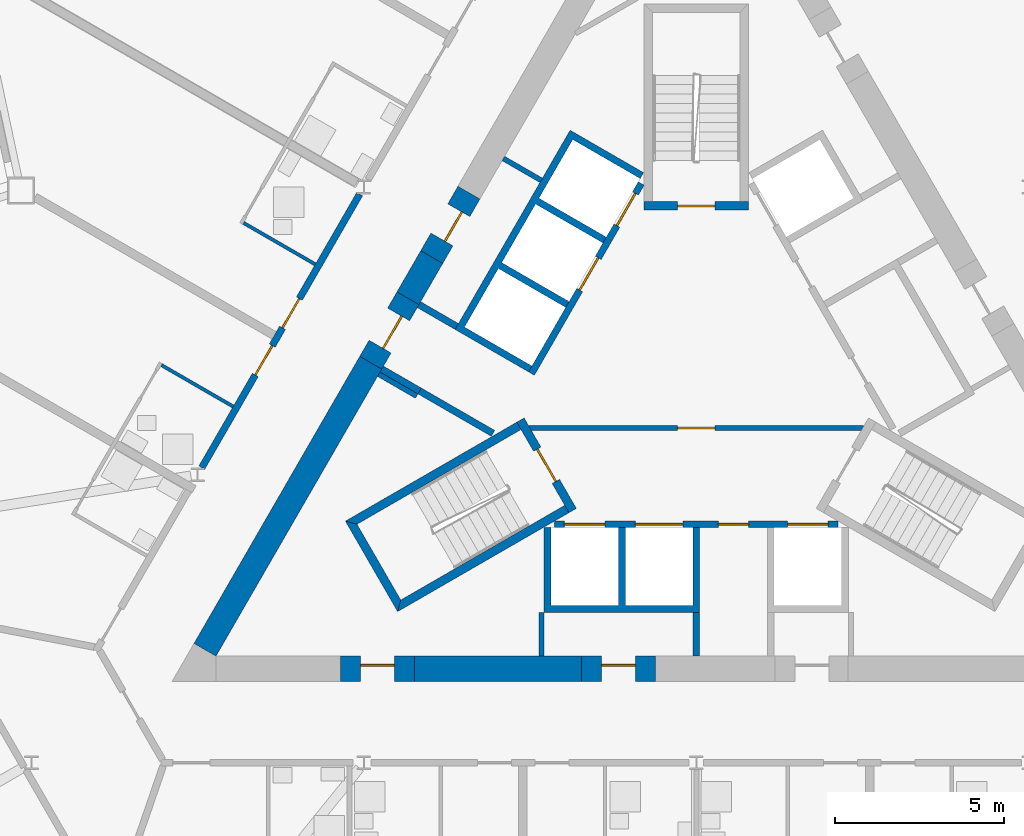
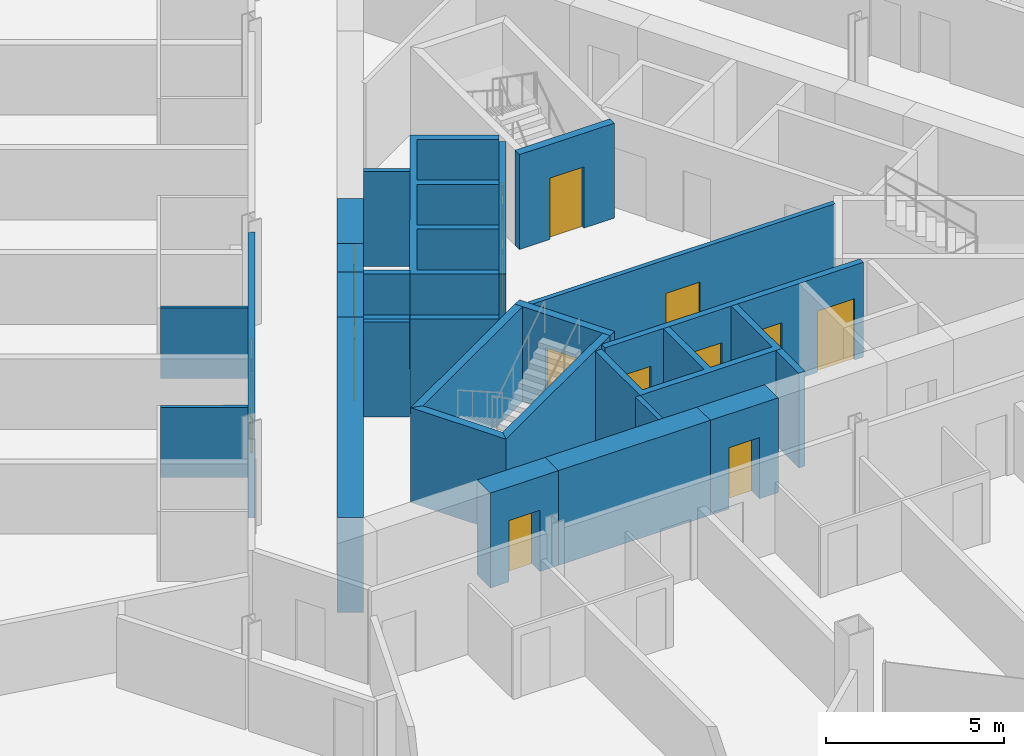
# One storey, part 11 of 23: 27 walls, 15 doors, 15 openings.
"""IFC4 building model written with IfcOpenShell, lengths in metres."""

from ifc_helpers import new_model, si_unit, direction, frame, frame_2d, origin, place, context, subcontext, project, spatial, polyline, rectangle, outline, extrude, material, layer, layer_set, type_object, element, fill, save


model = new_model("IFC4")

# Units and contexts
model_context = context("Model", 3, precision=1e-05, world=origin(), true_north=direction((0.0, 1.0)))
body_context = subcontext(model_context, "Body", "Model", "MODEL_VIEW")
ifc_project = project(units=[si_unit("LENGTHUNIT", "METRE"), si_unit("AREAUNIT", "SQUARE_METRE"), si_unit("VOLUMEUNIT", "CUBIC_METRE"), si_unit("PLANEANGLEUNIT", "RADIAN"), si_unit("MASSUNIT", "GRAM", prefix="KILO")], contexts=[model_context])

# Site, building, storey
site_placement = place(None, origin())
site = spatial("IfcSite", under=ifc_project, at=site_placement, CompositionType="ELEMENT")
building_placement = place(site_placement, origin())
building = spatial("IfcBuilding", under=site, at=building_placement, Name="Cormorant Prow Tower", CompositionType="ELEMENT")
storey_placement = place(building_placement, frame((0.0, 0.0, 180.0)))
storey = spatial("IfcBuildingStorey", under=building, at=storey_placement, Name="L38", CompositionType="ELEMENT", Elevation=180.0)

# Wall, opening, door
ifc_material_1 = material(Name="Gypsum board partition")
ifc_layer_1 = layer(ifc_material_1, 0.14990234375)
ifc_layer_set_1 = layer_set([ifc_layer_1], Name="Gypsum board partition")
wall_type_1 = type_object("IfcWallType", Name="Core partition 150", PredefinedType="PARTITIONING", material=ifc_layer_set_1)
wall_1_placement = place(storey_placement, frame((-4.941162109375, -1.449951171875, 0.0), z_axis=(0.0, 0.0, 1.0), x_axis=(1.0, 0.0, 0.0)))
wall_1 = element("IfcWall", 1, at=wall_1_placement, inside=storey, type_object=wall_type_1, Name="Firefighting lobby partition", PredefinedType="PARTITIONING", context=body_context, shape_type="SweptSolid", body=[
    extrude(rectangle(XDim=9.88232421875, YDim=0.14990234375, at=frame_2d((4.941162109375, 0.0))), origin(), (0.0, 0.0, 1.0), 3.25),
])
opening_1_placement = place(wall_1_placement, frame((4.39111328125, 0.0, 0.0)))
opening_1 = element("IfcOpeningElement", 2, at=opening_1_placement, cuts=wall_1, Name="Opening L38-C10", PredefinedType="OPENING", context=body_context, shape_type="SweptSolid", body=[
    extrude(rectangle(XDim=1.10009765625, YDim=2.10009765625, at=frame_2d((0.550048828125, 1.050048828125))), frame((0.0, 0.0849609375, 0.0), z_axis=(0.0, -1.0, 0.0), x_axis=(1.0, 0.0, 0.0)), (0.0, 0.0, 1.0), 0.169921875),
])
ifc_material_2 = material(Name="Painted steel", Category="steel")
door_type_1 = type_object("IfcDoorType", Name="Firefighting lobby door 1100x2100", OperationType="NOTDEFINED", PredefinedType="DOOR", material=ifc_material_2)
door_1_placement = place(opening_1_placement, origin())
door_1 = element("IfcDoor", 3, at=door_1_placement, inside=storey, type_object=door_type_1, Name="Firefighting lobby door", OperationType="SINGLE_SWING_RIGHT", OverallHeight=2.10009765625, OverallWidth=1.10009765625, PredefinedType="DOOR", context=body_context, shape_type="SweptSolid", body=[
    extrude(rectangle(XDim=1.10009765625, YDim=2.10009765625, at=frame_2d((0.550048828125, 1.050048828125))), frame((0.0, 0.02490234375, 0.0), z_axis=(0.0, -1.0, 0.0), x_axis=(1.0, 0.0, 0.0)), (0.0, 0.0, 1.0), 0.050048828125),
])
fill(opening_1, door_1)

# Walls
for number, where, z_axis, x_axis, name in (
    (4, (-4.574951171875, -6.906005859375, 0.0), (0.0, 0.0, 1.0), (0.0, -1.0, 0.0), "Service room partition"),
    (5, (-8.268310546875, -0.509033203125, 0.0), (0.0, 0.0, 1.0), (-0.866003189247, 0.500038474733, 0.0), "Service room partition"),
    (6, (-5.705322265625, 6.515869140625, 0.0), (0.0, 0.0, 1.0), (0.866003189247, -0.500038474733, 0.0), "Service room partition"),
):
    element("IfcWall", number, at=place(storey_placement, frame(where, z_axis=z_axis, x_axis=x_axis)), inside=storey, type_object=wall_type_1, Name=name, PredefinedType="PARTITIONING", context=body_context, shape_type="SweptSolid", body=[
        extrude(rectangle(XDim=1.29296875, YDim=0.14990234375, at=frame_2d((0.646484375, 0.0))), origin(), (0.0, 0.0, 1.0), 3.25),
    ])
ifc_material_3 = material(Name="Concrete 8000 psi", Category="concrete")
ifc_layer_2 = layer(ifc_material_3, 0.75)
ifc_layer_set_2 = layer_set([ifc_layer_2], Name="Concrete 8000 psi")
wall_type_2 = type_object("IfcWallType", Name="Core shear wall 750", PredefinedType="SHEAR", material=ifc_layer_set_2)
wall_2_placement = place(storey_placement, frame((-8.325439453125, -8.573974609375, 0.0), z_axis=(0.0, 0.0, 1.0), x_axis=(1.0, 0.0, 0.0)))
element("IfcWall", 7, at=wall_2_placement, inside=storey, type_object=wall_type_2, Name="Core wall", PredefinedType="SHEAR", context=body_context, shape_type="SweptSolid", body=[
    extrude(rectangle(XDim=4.925537109375, YDim=0.75, at=frame_2d((2.462890625, 0.0))), origin(), (0.0, 0.0, 1.0), 3.25),
])
wall_3_placement = place(storey_placement, frame((-9.625244140625, 0.4765625, 0.0), z_axis=(0.0, 0.0, 1.0), x_axis=(-0.499986234705, -0.866033351035, 0.0)))
element("IfcWall", 8, at=wall_3_placement, inside=storey, type_object=wall_type_2, Name="Core wall", PredefinedType="SHEAR", context=body_context, shape_type="SweptSolid", body=[
    extrude(rectangle(XDim=9.801025390625, YDim=0.75, at=frame_2d((4.900390625, 0.0))), origin(), (0.0, 0.0, 1.0), 3.25),
])
wall_4_placement = place(storey_placement, frame((-7.8212890625, 3.600830078125, 0.0), z_axis=(0.0, 0.0, 1.0), x_axis=(-0.49996263964, -0.866046972724, 0.0)))
element("IfcWall", 9, at=wall_4_placement, inside=storey, type_object=wall_type_2, Name="Core wall", PredefinedType="SHEAR", context=body_context, shape_type="SweptSolid", body=[
    extrude(rectangle(XDim=1.40771484375, YDim=0.75, at=frame_2d((0.703857421875, 0.0))), origin(), (0.0, 0.0, 1.0), 3.25),
])

# Wall, opening, door
wall_5_placement = place(storey_placement, frame((-3.39990234375, -8.573974609375, 0.0), z_axis=(0.0, 0.0, 1.0), x_axis=(1.0, 0.0, 0.0)))
wall_5 = element("IfcWall", 10, at=wall_5_placement, inside=storey, type_object=wall_type_2, Name="Core wall door panel", PredefinedType="SHEAR", context=body_context, shape_type="SweptSolid", body=[
    extrude(rectangle(XDim=2.199951171875, YDim=0.75, at=frame_2d((1.10009765625, 0.0))), origin(), (0.0, 0.0, 1.0), 3.25),
])
opening_2_placement = place(wall_5_placement, frame((0.60009765625, 0.0, 0.0)))
opening_2 = element("IfcOpeningElement", 11, at=opening_2_placement, cuts=wall_5, Name="Opening L38-C14", PredefinedType="OPENING", context=body_context, shape_type="SweptSolid", body=[
    extrude(rectangle(XDim=1.0, YDim=2.10009765625, at=frame_2d((0.5, 1.050048828125))), frame((0.0, 0.385009765625, 0.0), z_axis=(0.0, -1.0, 0.0), x_axis=(1.0, 0.0, 0.0)), (0.0, 0.0, 1.0), 0.77001953125),
])
ifc_material_4 = material(Name="Painted steel", Category="steel")
door_type_2 = type_object("IfcDoorType", Name="Service door 1000x2100", OperationType="NOTDEFINED", PredefinedType="DOOR", material=ifc_material_4)
door_2_placement = place(opening_2_placement, origin())
door_2 = element("IfcDoor", 12, at=door_2_placement, inside=storey, type_object=door_type_2, Name="Core door, Housekeeping store", OperationType="SINGLE_SWING_LEFT", OverallHeight=2.10009765625, OverallWidth=1.0, PredefinedType="DOOR", context=body_context, shape_type="SweptSolid", body=[
    extrude(rectangle(XDim=1.0, YDim=2.10009765625, at=frame_2d((0.5, 1.050048828125))), frame((0.0, 0.1298828125, 0.0), z_axis=(0.0, -1.0, 0.0), x_axis=(1.0, 0.0, 0.0)), (0.0, 0.0, 1.0), 0.050048828125),
])
fill(opening_2, door_2)

wall_6_placement = place(storey_placement, frame((-10.525390625, -8.573974609375, 0.0), z_axis=(0.0, 0.0, 1.0), x_axis=(1.0, 0.0, 0.0)))
wall_6 = element("IfcWall", 13, at=wall_6_placement, inside=storey, type_object=wall_type_2, Name="Core wall door panel", PredefinedType="SHEAR", context=body_context, shape_type="SweptSolid", body=[
    extrude(rectangle(XDim=2.199951171875, YDim=0.75, at=frame_2d((1.10009765625, 0.0))), origin(), (0.0, 0.0, 1.0), 3.25),
])
opening_3_placement = place(wall_6_placement, frame((0.60009765625, 0.0, 0.0)))
opening_3 = element("IfcOpeningElement", 14, at=opening_3_placement, cuts=wall_6, Name="Opening L38-C16", PredefinedType="OPENING", context=body_context, shape_type="SweptSolid", body=[
    extrude(rectangle(XDim=1.0, YDim=2.10009765625, at=frame_2d((0.5, 1.050048828125))), frame((0.0, 0.385009765625, 0.0), z_axis=(0.0, -1.0, 0.0), x_axis=(1.0, 0.0, 0.0)), (0.0, 0.0, 1.0), 0.77001953125),
])
door_3_placement = place(opening_3_placement, origin())
door_3 = element("IfcDoor", 15, at=door_3_placement, inside=storey, type_object=door_type_2, Name="Core door, Linen store", OperationType="SINGLE_SWING_LEFT", OverallHeight=2.10009765625, OverallWidth=1.0, PredefinedType="DOOR", context=body_context, shape_type="SweptSolid", body=[
    extrude(rectangle(XDim=1.0, YDim=2.10009765625, at=frame_2d((0.5, 1.050048828125))), frame((0.0, 0.1298828125, 0.0), z_axis=(0.0, -1.0, 0.0), x_axis=(1.0, 0.0, 0.0)), (0.0, 0.0, 1.0), 0.050048828125),
])
fill(opening_3, door_3)

wall_7_placement = place(storey_placement, frame((-6.721435546875, 5.506103515625, 0.0), z_axis=(0.0, 0.0, 1.0), x_axis=(-0.499946605688, -0.86605622881, 0.0)))
wall_7 = element("IfcWall", 16, at=wall_7_placement, inside=storey, type_object=wall_type_2, Name="Core wall door panel", PredefinedType="SHEAR", context=body_context, shape_type="SweptSolid", body=[
    extrude(rectangle(XDim=2.199951171875, YDim=0.75, at=frame_2d((1.10009765625, 0.0))), origin(), (0.0, 0.0, 1.0), 3.25),
])
opening_4_placement = place(wall_7_placement, frame((0.60009765625, 0.0, 0.0)))
opening_4 = element("IfcOpeningElement", 17, at=opening_4_placement, cuts=wall_7, Name="Opening L38-C19", PredefinedType="OPENING", context=body_context, shape_type="SweptSolid", body=[
    extrude(rectangle(XDim=1.0, YDim=2.10009765625, at=frame_2d((0.5, 1.050048828125))), frame((0.0, 0.385009765625, 0.0), z_axis=(0.0, -1.0, 0.0), x_axis=(1.0, 0.0, 0.0)), (0.0, 0.0, 1.0), 0.77001953125),
])
door_4_placement = place(opening_4_placement, origin())
door_4 = element("IfcDoor", 18, at=door_4_placement, inside=storey, type_object=door_type_2, Name="Core door, Electrical room", OperationType="SINGLE_SWING_RIGHT", OverallHeight=2.10009765625, OverallWidth=1.0, PredefinedType="DOOR", context=body_context, shape_type="SweptSolid", body=[
    extrude(rectangle(XDim=1.0, YDim=2.10009765625, at=frame_2d((0.5, 1.050048828125))), frame((0.0, 0.1298828125, 0.0), z_axis=(0.0, -1.0, 0.0), x_axis=(1.0, 0.0, 0.0)), (0.0, 0.0, 1.0), 0.050048828125),
])
fill(opening_4, door_4)

wall_8_placement = place(storey_placement, frame((-8.525146484375, 2.381591796875, 0.0), z_axis=(0.0, 0.0, 1.0), x_axis=(-0.500077893725, -0.86598042715, 0.0)))
wall_8 = element("IfcWall", 19, at=wall_8_placement, inside=storey, type_object=wall_type_2, Name="Core wall door panel", PredefinedType="SHEAR", context=body_context, shape_type="SweptSolid", body=[
    extrude(rectangle(XDim=2.199951171875, YDim=0.75, at=frame_2d((1.10009765625, 0.0))), origin(), (0.0, 0.0, 1.0), 3.25),
])
opening_5_placement = place(wall_8_placement, frame((0.550048828125, 0.0, 0.0)))
opening_5 = element("IfcOpeningElement", 20, at=opening_5_placement, cuts=wall_8, Name="Opening L38-C22", PredefinedType="OPENING", context=body_context, shape_type="SweptSolid", body=[
    extrude(rectangle(XDim=1.10009765625, YDim=2.10009765625, at=frame_2d((0.550048828125, 1.050048828125))), frame((0.0, 0.385009765625, 0.0), z_axis=(0.0, -1.0, 0.0), x_axis=(1.0, 0.0, 0.0)), (0.0, 0.0, 1.0), 0.77001953125),
])
ifc_material_5 = material(Name="Painted steel", Category="steel")
door_type_3 = type_object("IfcDoorType", Name="Core door 1100x2100", OperationType="NOTDEFINED", PredefinedType="DOOR", material=ifc_material_5)
door_5_placement = place(opening_5_placement, origin())
door_5 = element("IfcDoor", 21, at=door_5_placement, inside=storey, type_object=door_type_3, Name="Core door, lift lobby", OperationType="SINGLE_SWING_LEFT", OverallHeight=2.10009765625, OverallWidth=1.10009765625, PredefinedType="DOOR", context=body_context, shape_type="SweptSolid", body=[
    extrude(rectangle(XDim=1.10009765625, YDim=2.10009765625, at=frame_2d((0.550048828125, 1.050048828125))), frame((0.0, 0.1298828125, 0.0), z_axis=(0.0, -1.0, 0.0), x_axis=(1.0, 0.0, 0.0)), (0.0, 0.0, 1.0), 0.050048828125),
])
fill(opening_5, door_5)

# Wall, openings, doors
ifc_material_6 = material(Name="Gypsum board corridor wall")
ifc_layer_3 = layer(ifc_material_6, 0.199951171875)
ifc_layer_set_3 = layer_set([ifc_layer_3], Name="Gypsum board corridor wall")
wall_type_3 = type_object("IfcWallType", Name="Corridor wall 200", PredefinedType="PARTITIONING", material=ifc_layer_set_3)
wall_9_placement = place(storey_placement, frame((-14.619384765625, -2.62353515625, 0.0), z_axis=(0.0, 0.0, 1.0), x_axis=(0.50000393355, 0.866023132736, 0.0)))
wall_9 = element("IfcWall", 22, at=wall_9_placement, inside=storey, type_object=wall_type_3, Name="Corridor wall", PredefinedType="PARTITIONING", context=body_context, shape_type="SweptSolid", body=[
    extrude(rectangle(XDim=9.3349609375, YDim=0.199951171875, at=frame_2d((4.66748046875, 0.0))), origin(), (0.0, 0.0, 1.0), 3.25),
])
opening_6_placement = place(wall_9_placement, frame((4.770263671875, 0.0, 0.0)))
opening_6 = element("IfcOpeningElement", 23, at=opening_6_placement, cuts=wall_9, Name="Opening L38-F30", PredefinedType="OPENING", context=body_context, shape_type="SweptSolid", body=[
    extrude(rectangle(XDim=1.0, YDim=2.10009765625, at=frame_2d((0.5, 1.050048828125))), frame((0.0, 0.10986328125, 0.0), z_axis=(0.0, -1.0, 0.0), x_axis=(1.0, 0.0, 0.0)), (0.0, 0.0, 1.0), 0.219970703125),
])
opening_7_placement = place(wall_9_placement, frame((3.1630859375, 0.0, 0.0)))
opening_7 = element("IfcOpeningElement", 24, at=opening_7_placement, cuts=wall_9, Name="Opening L38-F32", PredefinedType="OPENING", context=body_context, shape_type="SweptSolid", body=[
    extrude(rectangle(XDim=1.0, YDim=2.10009765625, at=frame_2d((0.5, 1.050048828125))), frame((0.0, 0.10986328125, 0.0), z_axis=(0.0, -1.0, 0.0), x_axis=(1.0, 0.0, 0.0)), (0.0, 0.0, 1.0), 0.219970703125),
])
ifc_material_7 = material(Name="Timber door leaf", Category="wood")
door_type_4 = type_object("IfcDoorType", Name="Flat or room entrance door 1000x2100", OperationType="NOTDEFINED", PredefinedType="DOOR", material=ifc_material_7)
door_6_placement = place(opening_6_placement, origin())
door_6 = element("IfcDoor", 25, at=door_6_placement, inside=storey, type_object=door_type_4, Name="Guest room door", OperationType="SINGLE_SWING_LEFT", OverallHeight=2.10009765625, OverallWidth=1.0, PredefinedType="DOOR", context=body_context, shape_type="SweptSolid", body=[
    extrude(rectangle(XDim=1.0, YDim=2.10009765625, at=frame_2d((0.5, 1.050048828125))), frame((0.0, 0.02490234375, 0.0), z_axis=(0.0, -1.0, 0.0), x_axis=(1.0, 0.0, 0.0)), (0.0, 0.0, 1.0), 0.050048828125),
])
fill(opening_6, door_6)
door_7_placement = place(opening_7_placement, origin())
door_7 = element("IfcDoor", 26, at=door_7_placement, inside=storey, type_object=door_type_4, Name="Guest room door", OperationType="SINGLE_SWING_RIGHT", OverallHeight=2.10009765625, OverallWidth=1.0, PredefinedType="DOOR", context=body_context, shape_type="SweptSolid", body=[
    extrude(rectangle(XDim=1.0, YDim=2.10009765625, at=frame_2d((0.5, 1.050048828125))), frame((0.0, 0.02490234375, 0.0), z_axis=(0.0, -1.0, 0.0), x_axis=(1.0, 0.0, 0.0)), (0.0, 0.0, 1.0), 0.050048828125),
])
fill(opening_7, door_7)

# Walls
ifc_material_8 = material(Name="Gypsum board partition")
ifc_layer_4 = layer(ifc_material_8, 0.10009765625)
ifc_layer_set_4 = layer_set([ifc_layer_4], Name="Gypsum board partition")
wall_type_4 = type_object("IfcWallType", Name="Internal partition 100", PredefinedType="PARTITIONING", material=ifc_layer_set_4)
wall_10_placement = place(storey_placement, frame((-13.38671875, 4.611083984375, 0.0), z_axis=(0.0, 0.0, 1.0), x_axis=(0.866032905446, -0.499987006516, 0.0)))
element("IfcWall", 27, at=wall_10_placement, inside=storey, type_object=wall_type_4, Name="Internal partition", PredefinedType="PARTITIONING", context=body_context, shape_type="SweptSolid", body=[
    extrude(rectangle(XDim=2.44970703125, YDim=0.10009765625, at=frame_2d((1.224853515625, 0.0))), origin(), (0.0, 0.0, 1.0), 2.404296875),
])
wall_11_placement = place(storey_placement, frame((-15.81396484375, 0.4072265625, 0.0), z_axis=(0.0, 0.0, 1.0), x_axis=(0.866057815567, -0.499943856944, 0.0)))
element("IfcWall", 28, at=wall_11_placement, inside=storey, type_object=wall_type_4, Name="Internal partition", PredefinedType="PARTITIONING", context=body_context, shape_type="SweptSolid", body=[
    extrude(rectangle(XDim=2.449951171875, YDim=0.10009765625, at=frame_2d((1.22509765625, 0.0))), origin(), (0.0, 0.0, 1.0), 2.404296875),
])

# Wall, openings, doors
ifc_material_9 = material(Name="Concrete 5000 psi", Category="concrete")
ifc_layer_5 = layer(ifc_material_9, 0.199951171875)
ifc_layer_set_5 = layer_set([ifc_layer_5], Name="Concrete 5000 psi")
wall_type_5 = type_object("IfcWallType", Name="Lift lobby wall 200", PredefinedType="SOLIDWALL", material=ifc_layer_set_5)
wall_12_placement = place(storey_placement, frame((-4.1865234375, -4.300048828125, 0.0), z_axis=(0.0, 0.0, 1.0), x_axis=(1.0, 0.0, 0.0)))
wall_12 = element("IfcWall", 29, at=wall_12_placement, inside=storey, type_object=wall_type_5, Name="Lift lobby wall, S block", PredefinedType="SOLIDWALL", context=body_context, shape_type="SweptSolid", body=[
    extrude(rectangle(XDim=8.373046875, YDim=0.199951171875, at=frame_2d((4.1865234375, 0.0))), origin(), (0.0, 0.0, 1.0), 3.25),
])
opening_8_placement = place(wall_12_placement, frame((0.28662109375, 0.0, 0.0)))
opening_8 = element("IfcOpeningElement", 30, at=opening_8_placement, cuts=wall_12, Name="Opening L38-C01", PredefinedType="OPENING", context=body_context, shape_type="SweptSolid", body=[
    extrude(rectangle(XDim=1.199951171875, YDim=2.10009765625, at=frame_2d((0.60009765625, 1.050048828125))), frame((0.0, 0.10986328125, 0.0), z_axis=(0.0, -1.0, 0.0), x_axis=(1.0, 0.0, 0.0)), (0.0, 0.0, 1.0), 0.219970703125),
])
opening_9_placement = place(wall_12_placement, frame((2.38671875, 0.0, 0.0)))
opening_9 = element("IfcOpeningElement", 31, at=opening_9_placement, cuts=wall_12, Name="Opening L38-C02", PredefinedType="OPENING", context=body_context, shape_type="SweptSolid", body=[
    extrude(rectangle(XDim=1.39990234375, YDim=2.10009765625, at=frame_2d((0.699951171875, 1.050048828125))), frame((0.0, 0.10986328125, 0.0), z_axis=(0.0, -1.0, 0.0), x_axis=(1.0, 0.0, 0.0)), (0.0, 0.0, 1.0), 0.219970703125),
])
opening_10_placement = place(wall_12_placement, frame((4.836669921875, 0.0, 0.0)))
opening_10 = element("IfcOpeningElement", 32, at=opening_10_placement, cuts=wall_12, Name="Opening L38-C03", PredefinedType="OPENING", context=body_context, shape_type="SweptSolid", body=[
    extrude(rectangle(XDim=0.89990234375, YDim=2.10009765625, at=frame_2d((0.449951171875, 1.050048828125))), frame((0.0, 0.10986328125, 0.0), z_axis=(0.0, -1.0, 0.0), x_axis=(1.0, 0.0, 0.0)), (0.0, 0.0, 1.0), 0.219970703125),
])
opening_11_placement = place(wall_12_placement, frame((6.88671875, 0.0, 0.0)))
opening_11 = element("IfcOpeningElement", 33, at=opening_11_placement, cuts=wall_12, Name="Opening L38-C04", PredefinedType="OPENING", context=body_context, shape_type="SweptSolid", body=[
    extrude(rectangle(XDim=1.199951171875, YDim=2.10009765625, at=frame_2d((0.60009765625, 1.050048828125))), frame((0.0, 0.10986328125, 0.0), z_axis=(0.0, -1.0, 0.0), x_axis=(1.0, 0.0, 0.0)), (0.0, 0.0, 1.0), 0.219970703125),
])
ifc_material_10 = material(Name="Painted steel", Category="steel")
door_type_5 = type_object("IfcDoorType", Name="Firefighting lift landing door 1200x2100", OperationType="SLIDING_TO_LEFT", PredefinedType="DOOR", material=ifc_material_10)
door_8_placement = place(opening_8_placement, origin())
door_8 = element("IfcDoor", 34, at=door_8_placement, inside=storey, type_object=door_type_5, Name="Landing door FL1", OperationType="SLIDING_TO_LEFT", OverallHeight=2.10009765625, OverallWidth=1.199951171875, PredefinedType="DOOR", context=body_context, shape_type="SweptSolid", body=[
    extrude(rectangle(XDim=1.199951171875, YDim=2.10009765625, at=frame_2d((0.60009765625, 1.050048828125))), frame((0.0, 0.02490234375, 0.0), z_axis=(0.0, -1.0, 0.0), x_axis=(1.0, 0.0, 0.0)), (0.0, 0.0, 1.0), 0.050048828125),
])
fill(opening_8, door_8)
door_9_placement = place(opening_11_placement, origin())
door_9 = element("IfcDoor", 35, at=door_9_placement, inside=storey, type_object=door_type_5, Name="Landing door FL2", OperationType="SLIDING_TO_LEFT", OverallHeight=2.10009765625, OverallWidth=1.199951171875, PredefinedType="DOOR", context=body_context, shape_type="SweptSolid", body=[
    extrude(rectangle(XDim=1.199951171875, YDim=2.10009765625, at=frame_2d((0.60009765625, 1.050048828125))), frame((0.0, 0.02490234375, 0.0), z_axis=(0.0, -1.0, 0.0), x_axis=(1.0, 0.0, 0.0)), (0.0, 0.0, 1.0), 0.050048828125),
])
fill(opening_11, door_9)
ifc_material_11 = material(Name="Painted steel", Category="steel")
door_type_6 = type_object("IfcDoorType", Name="Service door 900x2100", OperationType="NOTDEFINED", PredefinedType="DOOR", material=ifc_material_11)
door_10_placement = place(opening_10_placement, origin())
door_10 = element("IfcDoor", 36, at=door_10_placement, inside=storey, type_object=door_type_6, Name="Service door, Linen store", OperationType="SINGLE_SWING_RIGHT", OverallHeight=2.10009765625, OverallWidth=0.89990234375, PredefinedType="DOOR", context=body_context, shape_type="SweptSolid", body=[
    extrude(rectangle(XDim=0.89990234375, YDim=2.10009765625, at=frame_2d((0.449951171875, 1.050048828125))), frame((0.0, 0.02490234375, 0.0), z_axis=(0.0, -1.0, 0.0), x_axis=(1.0, 0.0, 0.0)), (0.0, 0.0, 1.0), 0.050048828125),
])
fill(opening_10, door_10)
ifc_material_12 = material(Name="Painted steel", Category="steel")
door_type_7 = type_object("IfcDoorType", Name="Service lift landing door 1400x2100", OperationType="SLIDING_TO_LEFT", PredefinedType="DOOR", material=ifc_material_12)
door_11_placement = place(opening_9_placement, origin())
door_11 = element("IfcDoor", 37, at=door_11_placement, inside=storey, type_object=door_type_7, Name="Landing door SL1", OperationType="SLIDING_TO_LEFT", OverallHeight=2.10009765625, OverallWidth=1.39990234375, PredefinedType="DOOR", context=body_context, shape_type="SweptSolid", body=[
    extrude(rectangle(XDim=1.39990234375, YDim=2.10009765625, at=frame_2d((0.699951171875, 1.050048828125))), frame((0.0, 0.02490234375, 0.0), z_axis=(0.0, -1.0, 0.0), x_axis=(1.0, 0.0, 0.0)), (0.0, 0.0, 1.0), 0.050048828125),
])
fill(opening_9, door_11)

wall_13_placement = place(storey_placement, frame((-1.630615234375, 5.775634765625, 0.0), z_axis=(0.0, 0.0, 1.0), x_axis=(-0.499992876559, -0.866029516466, 0.0)))
wall_13 = element("IfcWall", 38, at=wall_13_placement, inside=storey, type_object=wall_type_5, Name="Lift lobby wall, WNW block", PredefinedType="SOLIDWALL", context=body_context, shape_type="SweptSolid", body=[
    extrude(rectangle(XDim=6.486328125, YDim=0.199951171875, at=frame_2d((3.2431640625, 0.0))), origin(), (0.0, 0.0, 1.0), 3.25),
])
opening_12_placement = place(wall_13_placement, frame((0.336669921875, 0.0, 0.0)))
opening_12 = element("IfcOpeningElement", 39, at=opening_12_placement, cuts=wall_13, Name="Opening L38-C08", PredefinedType="OPENING", context=body_context, shape_type="SweptSolid", body=[
    extrude(rectangle(XDim=1.10009765625, YDim=2.10009765625, at=frame_2d((0.550048828125, 1.050048828125))), frame((0.0, 0.10986328125, 0.0), z_axis=(0.0, -1.0, 0.0), x_axis=(1.0, 0.0, 0.0)), (0.0, 0.0, 1.0), 0.219970703125),
])
opening_13_placement = place(wall_13_placement, frame((2.53662109375, 0.0, 0.0)))
opening_13 = element("IfcOpeningElement", 40, at=opening_13_placement, cuts=wall_13, Name="Opening L38-C09", PredefinedType="OPENING", context=body_context, shape_type="SweptSolid", body=[
    extrude(rectangle(XDim=1.10009765625, YDim=2.10009765625, at=frame_2d((0.550048828125, 1.050048828125))), frame((0.0, 0.10986328125, 0.0), z_axis=(0.0, -1.0, 0.0), x_axis=(1.0, 0.0, 0.0)), (0.0, 0.0, 1.0), 0.219970703125),
])
ifc_material_13 = material(Name="Painted steel", Category="steel")
door_type_8 = type_object("IfcDoorType", Name="Lift landing door 1100x2100", OperationType="SLIDING_TO_LEFT", PredefinedType="DOOR", material=ifc_material_13)
door_12_placement = place(opening_12_placement, origin())
door_12 = element("IfcDoor", 41, at=door_12_placement, inside=storey, type_object=door_type_8, Name="Landing door MR2", OperationType="SLIDING_TO_LEFT", OverallHeight=2.10009765625, OverallWidth=1.10009765625, PredefinedType="DOOR", context=body_context, shape_type="SweptSolid", body=[
    extrude(rectangle(XDim=1.10009765625, YDim=2.10009765625, at=frame_2d((0.550048828125, 1.050048828125))), frame((0.0, 0.02490234375, 0.0), z_axis=(0.0, -1.0, 0.0), x_axis=(1.0, 0.0, 0.0)), (0.0, 0.0, 1.0), 0.050048828125),
])
fill(opening_12, door_12)
door_13_placement = place(opening_13_placement, origin())
door_13 = element("IfcDoor", 42, at=door_13_placement, inside=storey, type_object=door_type_8, Name="Landing door MR3", OperationType="SLIDING_TO_LEFT", OverallHeight=2.10009765625, OverallWidth=1.10009765625, PredefinedType="DOOR", context=body_context, shape_type="SweptSolid", body=[
    extrude(rectangle(XDim=1.10009765625, YDim=2.10009765625, at=frame_2d((0.550048828125, 1.050048828125))), frame((0.0, 0.02490234375, 0.0), z_axis=(0.0, -1.0, 0.0), x_axis=(1.0, 0.0, 0.0)), (0.0, 0.0, 1.0), 0.050048828125),
])
fill(opening_13, door_13)

# Walls
ifc_material_14 = material(Name="Concrete 8000 psi", Category="concrete")
ifc_layer_6 = layer(ifc_material_14, 0.199951171875)
ifc_layer_set_6 = layer_set([ifc_layer_6], Name="Concrete 8000 psi")
wall_type_6 = type_object("IfcWallType", Name="Lift shaft wall 200", PredefinedType="SHEAR", material=ifc_layer_set_6)
wall_14_placement = place(storey_placement, origin())
element("IfcWall", 43, at=wall_14_placement, inside=storey, type_object=wall_type_6, Name="Lift shaft walls, S block", PredefinedType="SHEAR", context=body_context, shape_type="SweptSolid", body=[
    extrude(outline(polyline([(0.10009765625, -4.39990234375), (0.10009765625, -6.906005859375), (-4.5, -6.906005859375), (-4.5, -4.39990234375), (-4.300048828125, -4.39990234375), (-4.300048828125, -6.699951171875), (-2.300048828125, -6.699951171875), (-2.300048828125, -4.39990234375), (-2.10009765625, -4.39990234375), (-2.10009765625, -6.699951171875), (-0.10009765625, -6.699951171875), (-0.10009765625, -4.39990234375), (0.10009765625, -4.39990234375)])), origin(), (0.0, 0.0, 1.0), 3.25),
])
wall_15_placement = place(storey_placement, frame((0.0, -6.906005859375, 0.0), z_axis=(0.0, 0.0, 1.0), x_axis=(0.0, -1.0, 0.0)))
element("IfcWall", 44, at=wall_15_placement, inside=storey, type_object=wall_type_6, Name="Store side wall", PredefinedType="SHEAR", context=body_context, shape_type="SweptSolid", body=[
    extrude(rectangle(XDim=1.29296875, YDim=0.199951171875, at=frame_2d((0.646484375, 0.0))), origin(), (0.0, 0.0, 1.0), 3.25),
])
wall_16_placement = place(storey_placement, origin())
element("IfcWall", 45, at=wall_16_placement, inside=storey, type_object=wall_type_6, Name="Lift shaft walls, WNW block", PredefinedType="SHEAR", context=body_context, shape_type="SweptSolid", body=[
    extrude(outline(polyline([(-6.060546875, -1.697021484375), (-8.230712890625, -0.444091796875), (-8.130859375, -0.27099609375), (-5.96044921875, -1.52392578125), (-6.060546875, -1.697021484375)])), origin(), (0.0, 0.0, 1.0), 3.25),
])
wall_17_placement = place(storey_placement, origin())
element("IfcWall", 46, at=wall_17_placement, inside=storey, type_object=wall_type_6, Name="Lift shaft walls, WNW block", PredefinedType="SHEAR", context=body_context, shape_type="SweptSolid", body=[
    extrude(outline(polyline([(-4.96044921875, 0.2080078125), (-7.130859375, 1.461181640625), (-3.730712890625, 7.35009765625), (-1.560546875, 6.09716796875), (-1.660400390625, 5.923828125), (-3.65234375, 7.073974609375), (-4.65234375, 5.341796875), (-2.660400390625, 4.19189453125), (-2.760498046875, 4.018798828125), (-4.75244140625, 5.168701171875), (-5.75244140625, 3.4365234375), (-3.760498046875, 2.28662109375), (-3.860595703125, 2.11328125), (-5.852294921875, 3.263427734375), (-6.852294921875, 1.53125), (-4.860595703125, 0.38134765625), (-4.96044921875, 0.2080078125)])), origin(), (0.0, 0.0, 1.0), 3.25),
])
for number, where, z_axis, x_axis, name in (
    (47, (-7.080810546875, 1.547607421875, 0.0), (0.0, 0.0, 1.0), (-0.866003189247, 0.500038474733, 0.0), "Lobby passage wall"),
    (48, (-8.180908203125, -0.357421875, 0.0), (0.0, 0.0, 1.0), (-0.866003189247, 0.500038474733, 0.0), "Lobby passage wall"),
):
    element("IfcWall", number, at=place(storey_placement, frame(where, z_axis=z_axis, x_axis=x_axis)), inside=storey, type_object=wall_type_6, Name=name, PredefinedType="SHEAR", context=body_context, shape_type="SweptSolid", body=[
        extrude(rectangle(XDim=1.29296875, YDim=0.199951171875, at=frame_2d((0.646484375, 0.0))), origin(), (0.0, 0.0, 1.0), 3.25),
    ])
ifc_material_15 = material(Name="Concrete 8000 psi", Category="concrete")
ifc_layer_7 = layer(ifc_material_15, 0.25)
ifc_layer_set_7 = layer_set([ifc_layer_7], Name="Concrete 8000 psi")
wall_type_7 = type_object("IfcWallType", Name="Stair wall 250", PredefinedType="SHEAR", material=ifc_layer_set_7)
wall_18_placement = place(storey_placement, origin())
element("IfcWall", 49, at=wall_18_placement, inside=storey, type_object=wall_type_7, Name="Stair ST1 enclosure wall (flank)", PredefinedType="SHEAR", context=body_context, shape_type="SweptSolid", body=[
    extrude(outline(polyline([(-5.30712890625, -1.28125), (-10.37353515625, -4.206298828125), (-10.031982421875, -4.2978515625), (-5.18212890625, -1.497802734375), (-5.30712890625, -1.28125)])), origin(), (0.0, 0.0, 1.0), 3.25),
])
wall_19_placement = place(storey_placement, origin())
element("IfcWall", 50, at=wall_19_placement, inside=storey, type_object=wall_type_7, Name="Stair ST1 enclosure wall (end)", PredefinedType="SHEAR", context=body_context, shape_type="SweptSolid", body=[
    extrude(outline(polyline([(-10.37353515625, -4.206298828125), (-8.82958984375, -6.880615234375), (-8.738037109375, -6.5390625), (-10.031982421875, -4.2978515625), (-10.37353515625, -4.206298828125)])), origin(), (0.0, 0.0, 1.0), 3.25),
])
wall_20_placement = place(storey_placement, origin())
element("IfcWall", 51, at=wall_20_placement, inside=storey, type_object=wall_type_7, Name="Stair ST1 enclosure wall (flank)", PredefinedType="SHEAR", context=body_context, shape_type="SweptSolid", body=[
    extrude(outline(polyline([(-8.738037109375, -6.5390625), (-8.82958984375, -6.880615234375), (-3.76318359375, -3.95556640625), (-3.88818359375, -3.739013671875), (-8.738037109375, -6.5390625)])), origin(), (0.0, 0.0, 1.0), 3.25),
])

# Wall, opening, door
wall_21_placement = place(storey_placement, frame((-5.198974609375, -1.21875, 0.0), z_axis=(0.0, 0.0, 1.0), x_axis=(0.499982516597, -0.866035497597, 0.0)))
wall_21 = element("IfcWall", 52, at=wall_21_placement, inside=storey, type_object=wall_type_7, Name="Stair ST1 door wall", PredefinedType="SHEAR", context=body_context, shape_type="SweptSolid", body=[
    extrude(rectangle(XDim=3.087890625, YDim=0.25, at=frame_2d((1.5439453125, 0.0))), origin(), (0.0, 0.0, 1.0), 3.25),
])
opening_14_placement = place(wall_21_placement, frame((0.993896484375, 0.0, 0.0)))
opening_14 = element("IfcOpeningElement", 53, at=opening_14_placement, cuts=wall_21, Name="Opening L38-C11", PredefinedType="OPENING", context=body_context, shape_type="SweptSolid", body=[
    extrude(rectangle(XDim=1.10009765625, YDim=2.10009765625, at=frame_2d((0.550048828125, 1.050048828125))), frame((0.0, 0.135009765625, 0.0), z_axis=(0.0, -1.0, 0.0), x_axis=(1.0, 0.0, 0.0)), (0.0, 0.0, 1.0), 0.27001953125),
])
ifc_material_16 = material(Name="Painted steel", Category="steel")
door_type_9 = type_object("IfcDoorType", Name="Stair door 1100x2100", OperationType="NOTDEFINED", PredefinedType="DOOR", material=ifc_material_16)
door_14_placement = place(opening_14_placement, origin())
door_14 = element("IfcDoor", 54, at=door_14_placement, inside=storey, type_object=door_type_9, Name="Stair ST1 door", OperationType="SINGLE_SWING_LEFT", OverallHeight=2.10009765625, OverallWidth=1.10009765625, PredefinedType="DOOR", context=body_context, shape_type="SweptSolid", body=[
    extrude(rectangle(XDim=1.10009765625, YDim=2.10009765625, at=frame_2d((0.550048828125, 1.050048828125))), frame((0.0, 0.02490234375, 0.0), z_axis=(0.0, -1.0, 0.0), x_axis=(1.0, 0.0, 0.0)), (0.0, 0.0, 1.0), 0.050048828125),
])
fill(opening_14, door_14)

wall_22_placement = place(storey_placement, frame((1.5439453125, 5.11181640625, 0.0), z_axis=(0.0, 0.0, 1.0), x_axis=(-1.0, 0.0, 0.0)))
wall_22 = element("IfcWall", 55, at=wall_22_placement, inside=storey, type_object=wall_type_7, Name="Stair ST3 door wall", PredefinedType="SHEAR", context=body_context, shape_type="SweptSolid", body=[
    extrude(rectangle(XDim=3.087890625, YDim=0.25, at=frame_2d((1.5439453125, 0.0))), origin(), (0.0, 0.0, 1.0), 3.25),
])
opening_15_placement = place(wall_22_placement, frame((0.993896484375, 0.0, 0.0)))
opening_15 = element("IfcOpeningElement", 56, at=opening_15_placement, cuts=wall_22, Name="Opening L38-C13", PredefinedType="OPENING", context=body_context, shape_type="SweptSolid", body=[
    extrude(rectangle(XDim=1.10009765625, YDim=2.10009765625, at=frame_2d((0.550048828125, 1.050048828125))), frame((0.0, 0.135009765625, 0.0), z_axis=(0.0, -1.0, 0.0), x_axis=(1.0, 0.0, 0.0)), (0.0, 0.0, 1.0), 0.27001953125),
])
door_15_placement = place(opening_15_placement, origin())
door_15 = element("IfcDoor", 57, at=door_15_placement, inside=storey, type_object=door_type_9, Name="Stair ST3 door", OperationType="SINGLE_SWING_RIGHT", OverallHeight=2.10009765625, OverallWidth=1.10009765625, PredefinedType="DOOR", context=body_context, shape_type="SweptSolid", body=[
    extrude(rectangle(XDim=1.10009765625, YDim=2.10009765625, at=frame_2d((0.550048828125, 1.050048828125))), frame((0.0, 0.02490234375, 0.0), z_axis=(0.0, -1.0, 0.0), x_axis=(1.0, 0.0, 0.0)), (0.0, 0.0, 1.0), 0.050048828125),
])
fill(opening_15, door_15)

save(model, "model.ifc")
